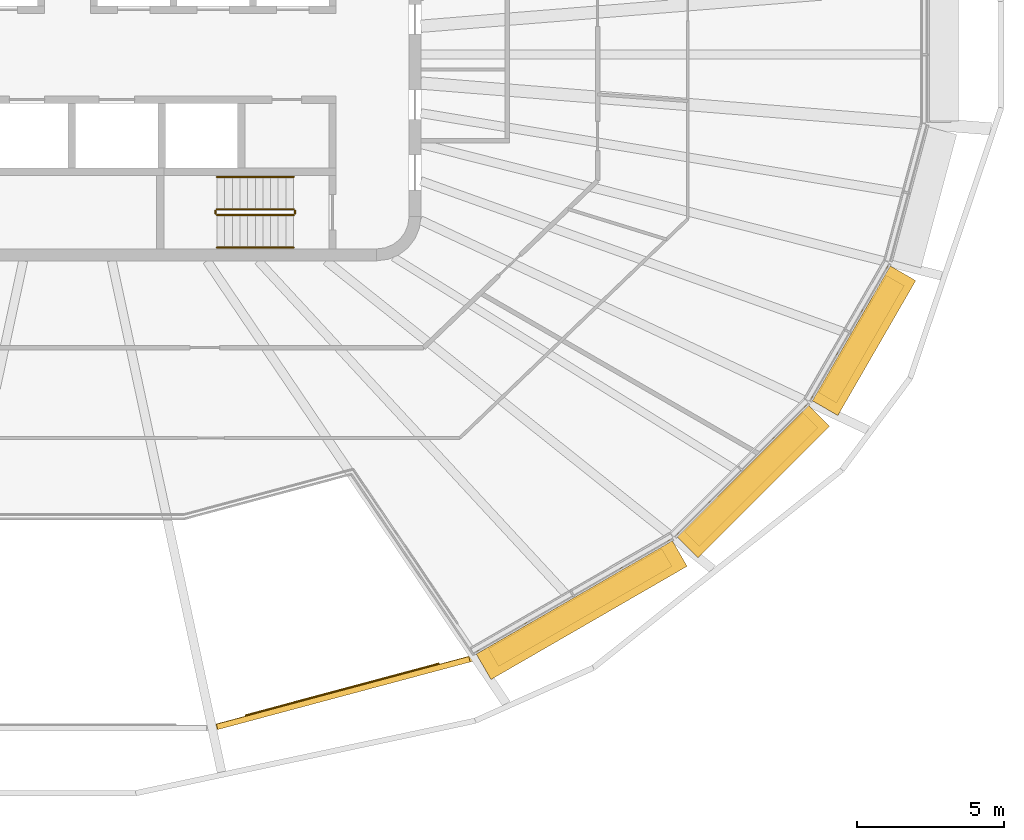
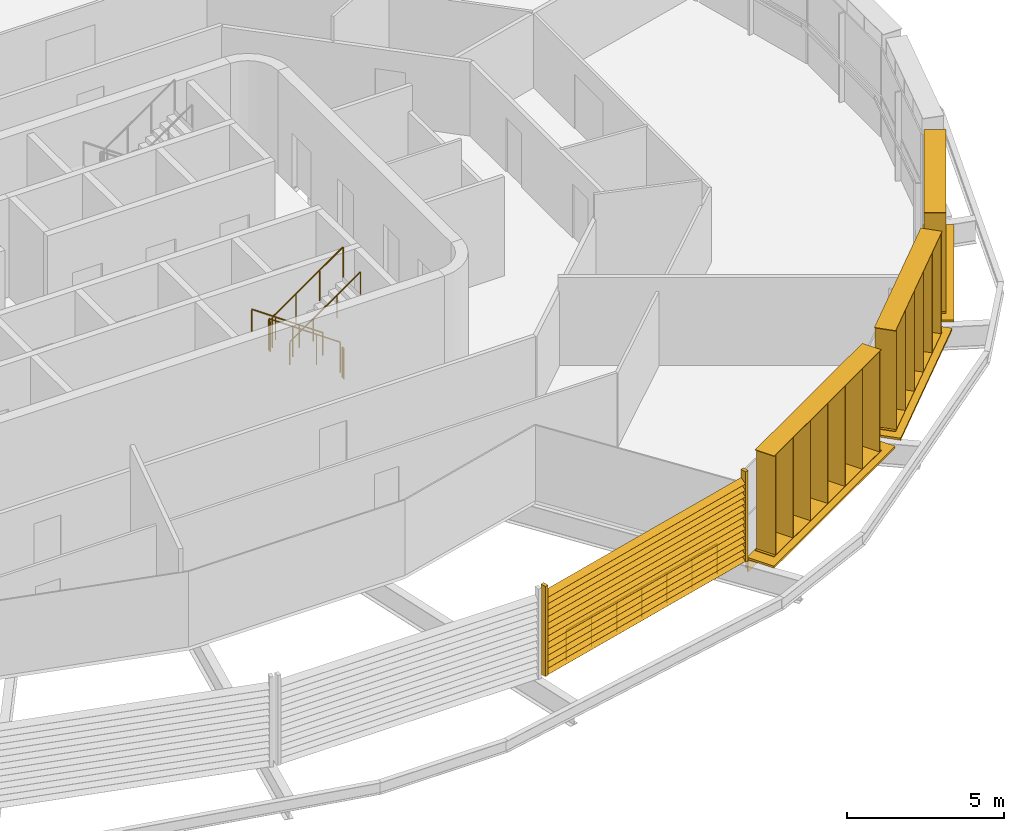
# One storey, part 16 of 19: 7 railings, 7 shading devices.
"""IFC4 building model written with IfcOpenShell, lengths in metres."""

from ifc_helpers import new_model, si_unit, direction, frame, origin, origin_2d, place, context, subcontext, project, spatial, rectangle, circle, extrude, material, type_object, element, save


model = new_model("IFC4")

# Units and contexts
model_context = context("Model", 3, precision=1e-05, world=origin(), true_north=direction((0.0, 1.0)))
body_context = subcontext(model_context, "Body", "Model", "MODEL_VIEW")
ifc_project = project(units=[si_unit("LENGTHUNIT", "METRE"), si_unit("AREAUNIT", "SQUARE_METRE"), si_unit("VOLUMEUNIT", "CUBIC_METRE"), si_unit("PLANEANGLEUNIT", "RADIAN"), si_unit("MASSUNIT", "GRAM", prefix="KILO")], contexts=[model_context])

# Site, building, storey
site_placement = place(None, origin())
site = spatial("IfcSite", under=ifc_project, at=site_placement, CompositionType="ELEMENT")
building_placement = place(site_placement, origin())
building = spatial("IfcBuilding", under=site, at=building_placement, Name="Sahrelin Media Tower", CompositionType="ELEMENT")
storey_placement = place(building_placement, frame((0.0, 0.0, 279.0)))
storey = spatial("IfcBuildingStorey", under=building, at=storey_placement, Name="L61", CompositionType="ELEMENT", Elevation=279.0)

# Shading devices
ifc_material_1 = material(Name="Champagne anodised aluminium 6063-T6", Category="aluminium")
shading_device_type_1 = type_object("IfcShadingDeviceType", Name="Fin cassette", PredefinedType="USERDEFINED", material=ifc_material_1)
placement_1 = place(storey_placement, frame((17.198974609375, -18.41015625, 0.0), z_axis=(0.0, 0.0, 1.0), x_axis=(-0.866019052629, -0.500011000363, 0.0)))
element("IfcShadingDevice", 1, at=placement_1, inside=storey, type_object=shading_device_type_1, Name="L61:FIN:L61-20", ObjectType="FIN", PredefinedType="USERDEFINED", context=body_context, shape_type="SweptSolid", body=[
    extrude(rectangle(XDim=6.800048828125, YDim=0.699951171875, at=origin_2d()), frame((0.0, 0.419921875, 0.0)), (0.0, 0.0, 1.0), 0.02001953125),
    extrude(rectangle(XDim=6.800048828125, YDim=0.699951171875, at=origin_2d()), frame((0.0, 0.419921875, 3.89990234375)), (0.0, 0.0, 1.0), 0.02001953125),
    extrude(rectangle(XDim=0.02001953125, YDim=0.699951171875, at=origin_2d()), frame((-3.300048828125, 0.419921875, 0.010009765625), z_axis=(0.0, 0.0, 1.0), x_axis=(1.0, 0.0, 0.0)), (0.0, 0.0, 1.0), 3.89990234375),
    extrude(rectangle(XDim=0.02001953125, YDim=0.699951171875, at=origin_2d()), frame((-2.199951171875, 0.419921875, 0.010009765625), z_axis=(0.0, 0.0, 1.0), x_axis=(1.0, 0.0, 0.0)), (0.0, 0.0, 1.0), 3.89990234375),
    extrude(rectangle(XDim=0.02001953125, YDim=0.699951171875, at=origin_2d()), frame((-1.10009765625, 0.419921875, 0.010009765625), z_axis=(0.0, 0.0, 1.0), x_axis=(1.0, 0.0, 0.0)), (0.0, 0.0, 1.0), 3.89990234375),
    extrude(rectangle(XDim=0.02001953125, YDim=0.699951171875, at=origin_2d()), frame((0.0, 0.419921875, 0.010009765625), z_axis=(0.0, 0.0, 1.0), x_axis=(1.0, 0.0, 0.0)), (0.0, 0.0, 1.0), 3.89990234375),
    extrude(rectangle(XDim=0.02001953125, YDim=0.699951171875, at=origin_2d()), frame((1.10009765625, 0.419921875, 0.010009765625), z_axis=(0.0, 0.0, 1.0), x_axis=(1.0, 0.0, 0.0)), (0.0, 0.0, 1.0), 3.89990234375),
    extrude(rectangle(XDim=0.02001953125, YDim=0.699951171875, at=origin_2d()), frame((2.199951171875, 0.419921875, 0.010009765625), z_axis=(0.0, 0.0, 1.0), x_axis=(1.0, 0.0, 0.0)), (0.0, 0.0, 1.0), 3.89990234375),
    extrude(rectangle(XDim=0.02001953125, YDim=0.699951171875, at=origin_2d()), frame((3.300048828125, 0.419921875, 0.010009765625), z_axis=(0.0, 0.0, 1.0), x_axis=(1.0, 0.0, 0.0)), (0.0, 0.0, 1.0), 3.89990234375),
])
placement_2 = place(storey_placement, frame((22.919189453125, -14.1337890625, 0.0), z_axis=(0.0, 0.0, 1.0), x_axis=(-0.707106781187, -0.707106781187, 0.0)))
element("IfcShadingDevice", 2, at=placement_2, inside=storey, type_object=shading_device_type_1, Name="L61:FIN:L61-21", ObjectType="FIN", PredefinedType="USERDEFINED", context=body_context, shape_type="SweptSolid", body=[
    extrude(rectangle(XDim=5.699951171875, YDim=0.699951171875, at=origin_2d()), frame((0.0, 0.419921875, 0.0)), (0.0, 0.0, 1.0), 0.02001953125),
    extrude(rectangle(XDim=5.699951171875, YDim=0.699951171875, at=origin_2d()), frame((0.0, 0.419921875, 3.89990234375)), (0.0, 0.0, 1.0), 0.02001953125),
    extrude(rectangle(XDim=0.02001953125, YDim=0.699951171875, at=origin_2d()), frame((-2.75, 0.419921875, 0.010009765625), z_axis=(0.0, 0.0, 1.0), x_axis=(1.0, 0.0, 0.0)), (0.0, 0.0, 1.0), 3.89990234375),
    extrude(rectangle(XDim=0.02001953125, YDim=0.699951171875, at=origin_2d()), frame((-1.64990234375, 0.419921875, 0.010009765625), z_axis=(0.0, 0.0, 1.0), x_axis=(1.0, 0.0, 0.0)), (0.0, 0.0, 1.0), 3.89990234375),
    extrude(rectangle(XDim=0.02001953125, YDim=0.699951171875, at=origin_2d()), frame((-0.550048828125, 0.419921875, 0.010009765625), z_axis=(0.0, 0.0, 1.0), x_axis=(1.0, 0.0, 0.0)), (0.0, 0.0, 1.0), 3.89990234375),
    extrude(rectangle(XDim=0.02001953125, YDim=0.699951171875, at=origin_2d()), frame((0.550048828125, 0.419921875, 0.010009765625), z_axis=(0.0, 0.0, 1.0), x_axis=(1.0, 0.0, 0.0)), (0.0, 0.0, 1.0), 3.89990234375),
    extrude(rectangle(XDim=0.02001953125, YDim=0.699951171875, at=origin_2d()), frame((1.64990234375, 0.419921875, 0.010009765625), z_axis=(0.0, 0.0, 1.0), x_axis=(1.0, 0.0, 0.0)), (0.0, 0.0, 1.0), 3.89990234375),
    extrude(rectangle(XDim=0.02001953125, YDim=0.699951171875, at=origin_2d()), frame((2.75, 0.419921875, 0.010009765625), z_axis=(0.0, 0.0, 1.0), x_axis=(1.0, 0.0, 0.0)), (0.0, 0.0, 1.0), 3.89990234375),
])
placement_3 = place(storey_placement, frame((26.595703125, -9.452392578125, 0.0), z_axis=(0.0, 0.0, 1.0), x_axis=(-0.500011000363, -0.866019052629, 0.0)))
element("IfcShadingDevice", 3, at=placement_3, inside=storey, type_object=shading_device_type_1, Name="L61:FIN:L61-22", ObjectType="FIN", PredefinedType="USERDEFINED", context=body_context, shape_type="SweptSolid", body=[
    extrude(rectangle(XDim=4.60009765625, YDim=0.699951171875, at=origin_2d()), frame((0.0, 0.419921875, 0.0)), (0.0, 0.0, 1.0), 0.02001953125),
    extrude(rectangle(XDim=4.60009765625, YDim=0.699951171875, at=origin_2d()), frame((0.0, 0.419921875, 3.89990234375)), (0.0, 0.0, 1.0), 0.02001953125),
    extrude(rectangle(XDim=0.02001953125, YDim=0.699951171875, at=origin_2d()), frame((-2.199951171875, 0.419921875, 0.010009765625), z_axis=(0.0, 0.0, 1.0), x_axis=(1.0, 0.0, 0.0)), (0.0, 0.0, 1.0), 3.89990234375),
    extrude(rectangle(XDim=0.02001953125, YDim=0.699951171875, at=origin_2d()), frame((-1.10009765625, 0.419921875, 0.010009765625), z_axis=(0.0, 0.0, 1.0), x_axis=(1.0, 0.0, 0.0)), (0.0, 0.0, 1.0), 3.89990234375),
    extrude(rectangle(XDim=0.02001953125, YDim=0.699951171875, at=origin_2d()), frame((0.0, 0.419921875, 0.010009765625), z_axis=(0.0, 0.0, 1.0), x_axis=(1.0, 0.0, 0.0)), (0.0, 0.0, 1.0), 3.89990234375),
    extrude(rectangle(XDim=0.02001953125, YDim=0.699951171875, at=origin_2d()), frame((1.10009765625, 0.419921875, 0.010009765625), z_axis=(0.0, 0.0, 1.0), x_axis=(1.0, 0.0, 0.0)), (0.0, 0.0, 1.0), 3.89990234375),
    extrude(rectangle(XDim=0.02001953125, YDim=0.699951171875, at=origin_2d()), frame((2.199951171875, 0.419921875, 0.010009765625), z_axis=(0.0, 0.0, 1.0), x_axis=(1.0, 0.0, 0.0)), (0.0, 0.0, 1.0), 3.89990234375),
])
shading_device_type_2 = type_object("IfcShadingDeviceType", Name="Garden screen", PredefinedType="USERDEFINED", material=ifc_material_1)
shading_device_4_placement = place(storey_placement, frame((9.335693359375, -21.573974609375, 0.0), z_axis=(0.0, 0.0, 1.0), x_axis=(-0.965928857556, -0.258807731996, 0.0)))
element("IfcShadingDevice", 4, at=shading_device_4_placement, inside=storey, type_object=shading_device_type_2, Name="L61:SCREEN:L61-19", ObjectType="SCREEN", PredefinedType="USERDEFINED", context=body_context, shape_type="SweptSolid", body=[
    extrude(rectangle(XDim=0.1201171875, YDim=0.199951171875, at=origin_2d()), frame((4.493896484375, 0.10009765625, 0.050048828125), z_axis=(0.0, 0.0, 1.0), x_axis=(1.0, 0.0, 0.0)), (0.0, 0.0, 1.0), 3.49853515625),
    extrude(rectangle(XDim=0.1201171875, YDim=0.199951171875, at=origin_2d()), frame((-4.493896484375, 0.10009765625, 0.050048828125), z_axis=(0.0, 0.0, 1.0), x_axis=(1.0, 0.0, 0.0)), (0.0, 0.0, 1.0), 3.49853515625),
    extrude(rectangle(XDim=0.25, YDim=0.02001953125, at=origin_2d()), frame((4.433837890625, 0.10009765625, 0.14990234375), z_axis=(-1.0, 0.0, 0.0), x_axis=(0.0, -0.766044443119, 0.642787609687)), (0.0, 0.0, 1.0), 8.86767578125),
    extrude(rectangle(XDim=0.25, YDim=0.02001953125, at=origin_2d()), frame((4.433837890625, 0.10009765625, 0.39990234375), z_axis=(-1.0, 0.0, 0.0), x_axis=(0.0, -0.766044443119, 0.642787609687)), (0.0, 0.0, 1.0), 8.86767578125),
    extrude(rectangle(XDim=0.25, YDim=0.02001953125, at=origin_2d()), frame((4.433837890625, 0.10009765625, 0.64990234375), z_axis=(-1.0, 0.0, 0.0), x_axis=(0.0, -0.766044443119, 0.642787609687)), (0.0, 0.0, 1.0), 8.86767578125),
    extrude(rectangle(XDim=0.25, YDim=0.02001953125, at=origin_2d()), frame((4.433837890625, 0.10009765625, 0.89990234375), z_axis=(-1.0, 0.0, 0.0), x_axis=(0.0, -0.766044443119, 0.642787609687)), (0.0, 0.0, 1.0), 8.86767578125),
    extrude(rectangle(XDim=0.25, YDim=0.02001953125, at=origin_2d()), frame((4.433837890625, 0.10009765625, 1.14990234375), z_axis=(-1.0, 0.0, 0.0), x_axis=(0.0, -0.766044443119, 0.642787609687)), (0.0, 0.0, 1.0), 8.86767578125),
    extrude(rectangle(XDim=0.25, YDim=0.02001953125, at=origin_2d()), frame((4.433837890625, 0.10009765625, 1.39990234375), z_axis=(-1.0, 0.0, 0.0), x_axis=(0.0, -0.766044443119, 0.642787609687)), (0.0, 0.0, 1.0), 8.86767578125),
    extrude(rectangle(XDim=0.25, YDim=0.02001953125, at=origin_2d()), frame((4.433837890625, 0.10009765625, 1.64990234375), z_axis=(-1.0, 0.0, 0.0), x_axis=(0.0, -0.766044443119, 0.642787609687)), (0.0, 0.0, 1.0), 8.86767578125),
    extrude(rectangle(XDim=0.25, YDim=0.02001953125, at=origin_2d()), frame((4.433837890625, 0.10009765625, 1.89990234375), z_axis=(-1.0, 0.0, 0.0), x_axis=(0.0, -0.766044443119, 0.642787609687)), (0.0, 0.0, 1.0), 8.86767578125),
    extrude(rectangle(XDim=0.25, YDim=0.02001953125, at=origin_2d()), frame((4.433837890625, 0.10009765625, 2.14990234375), z_axis=(-1.0, 0.0, 0.0), x_axis=(0.0, -0.766044443119, 0.642787609687)), (0.0, 0.0, 1.0), 8.86767578125),
    extrude(rectangle(XDim=0.25, YDim=0.02001953125, at=origin_2d()), frame((4.433837890625, 0.10009765625, 2.39990234375), z_axis=(-1.0, 0.0, 0.0), x_axis=(0.0, -0.766044443119, 0.642787609687)), (0.0, 0.0, 1.0), 8.86767578125),
    extrude(rectangle(XDim=0.25, YDim=0.02001953125, at=origin_2d()), frame((4.433837890625, 0.10009765625, 2.64990234375), z_axis=(-1.0, 0.0, 0.0), x_axis=(0.0, -0.766044443119, 0.642787609687)), (0.0, 0.0, 1.0), 8.86767578125),
    extrude(rectangle(XDim=0.25, YDim=0.02001953125, at=origin_2d()), frame((4.433837890625, 0.10009765625, 2.89990234375), z_axis=(-1.0, 0.0, 0.0), x_axis=(0.0, -0.766044443119, 0.642787609687)), (0.0, 0.0, 1.0), 8.86767578125),
    extrude(rectangle(XDim=0.25, YDim=0.02001953125, at=origin_2d()), frame((4.433837890625, 0.10009765625, 3.14990234375), z_axis=(-1.0, 0.0, 0.0), x_axis=(0.0, -0.766044443119, 0.642787609687)), (0.0, 0.0, 1.0), 8.86767578125),
])

# Railings
ifc_material_2 = material(Name="Stainless steel 316", Category="steel")
railing_type_1 = type_object("IfcRailingType", Name="Sky garden guard", PredefinedType="GUARDRAIL", material=ifc_material_2)
railing_1_placement = place(storey_placement, frame((12.602783203125, -20.67529296875, 0.0)))
element("IfcRailing", 5, at=railing_1_placement, inside=storey, type_object=railing_type_1, Name="Sky garden void guard G5-2", PredefinedType="GUARDRAIL", context=body_context, shape_type="SweptSolid", body=[
    extrude(circle(Radius=0.02392578125, at=origin_2d()), frame((0.0, 0.0, 1.17578125), z_axis=(-0.9659221657, -0.258832706221, 0.0), x_axis=(0.258832706221, -0.9659221657, 0.0)), (0.0, 0.0, 1.0), 6.778076171875),
    extrude(circle(Radius=0.02099609375, at=origin_2d()), origin(), (0.0, 0.0, 1.0), 1.15185546875),
    extrude(circle(Radius=0.02099609375, at=origin_2d()), frame((-1.09130859375, -0.29248046875, 0.0)), (0.0, 0.0, 1.0), 1.15185546875),
    extrude(circle(Radius=0.02099609375, at=origin_2d()), frame((-2.182373046875, -0.584716796875, 0.0)), (0.0, 0.0, 1.0), 1.15185546875),
    extrude(circle(Radius=0.02099609375, at=origin_2d()), frame((-3.2734375, -0.877197265625, 0.0)), (0.0, 0.0, 1.0), 1.15185546875),
    extrude(circle(Radius=0.02099609375, at=origin_2d()), frame((-4.36474609375, -1.169677734375, 0.0)), (0.0, 0.0, 1.0), 1.15185546875),
    extrude(circle(Radius=0.02099609375, at=origin_2d()), frame((-5.4560546875, -1.4619140625, 0.0)), (0.0, 0.0, 1.0), 1.15185546875),
    extrude(circle(Radius=0.02099609375, at=origin_2d()), frame((-6.547119140625, -1.75439453125, 0.0)), (0.0, 0.0, 1.0), 1.15185546875),
])
ifc_material_3 = material(Name="Steel S355", Category="steel")
railing_type_2 = type_object("IfcRailingType", Name="Stair guard 1200", PredefinedType="GUARDRAIL", material=ifc_material_3)
railing_2_placement = place(storey_placement, frame((7.675048828125, -5.25, 0.181884765625)))
element("IfcRailing", 6, at=railing_2_placement, inside=storey, type_object=railing_type_2, Name="L61 ST2 stair guard 1", PredefinedType="GUARDRAIL", context=body_context, shape_type="SweptSolid", body=[
    extrude(circle(Radius=0.02392578125, at=origin_2d()), frame((0.0, 0.0, 1.17578125), z_axis=(-0.819521025635, 0.0, 0.573049115296), x_axis=(0.0, -1.0, 0.0)), (0.0, 0.0, 1.0), 3.172607421875),
    extrude(circle(Radius=0.02099609375, at=origin_2d()), origin(), (0.0, 0.0, 1.0), 1.15185546875),
    extrude(circle(Radius=0.02099609375, at=origin_2d()), frame((-0.86669921875, 0.0, 0.60595703125)), (0.0, 0.0, 1.0), 1.15185546875),
    extrude(circle(Radius=0.02099609375, at=origin_2d()), frame((-1.7333984375, 0.0, 1.212158203125)), (0.0, 0.0, 1.0), 1.15185546875),
    extrude(circle(Radius=0.02099609375, at=origin_2d()), frame((-2.60009765625, 0.0, 1.818115234375)), (0.0, 0.0, 1.0), 1.15185546875),
])
railing_3_placement = place(storey_placement, frame((5.02490234375, -5.300048828125, 2.0)))
element("IfcRailing", 7, at=railing_3_placement, inside=storey, type_object=railing_type_2, Name="L61 ST2 stair guard 2", PredefinedType="GUARDRAIL", context=body_context, shape_type="SweptSolid", body=[
    extrude(circle(Radius=0.02392578125, at=origin_2d()), frame((0.0, 0.0, 1.17578125), z_axis=(0.0, -1.0, 0.0), x_axis=(1.0, 0.0, 0.0)), (0.0, 0.0, 1.0), 0.099853515625),
    extrude(circle(Radius=0.02099609375, at=origin_2d()), origin(), (0.0, 0.0, 1.0), 1.15185546875),
    extrude(circle(Radius=0.02099609375, at=origin_2d()), frame((0.0, -0.099853515625, 0.0)), (0.0, 0.0, 1.0), 1.15185546875),
])
railing_4_placement = place(storey_placement, frame((5.074951171875, -5.449951171875, 2.181884765625)))
element("IfcRailing", 8, at=railing_4_placement, inside=storey, type_object=railing_type_2, Name="L61 ST2 stair guard 3", PredefinedType="GUARDRAIL", context=body_context, shape_type="SweptSolid", body=[
    extrude(circle(Radius=0.02392578125, at=origin_2d()), frame((0.0, 0.0, 1.17578125), z_axis=(0.819521025635, 0.0, 0.573049115296), x_axis=(0.0, 1.0, 0.0)), (0.0, 0.0, 1.0), 3.172607421875),
    extrude(circle(Radius=0.02099609375, at=origin_2d()), origin(), (0.0, 0.0, 1.0), 1.15185546875),
    extrude(circle(Radius=0.02099609375, at=origin_2d()), frame((0.86669921875, 0.0, 0.60595703125)), (0.0, 0.0, 1.0), 1.15185546875),
    extrude(circle(Radius=0.02099609375, at=origin_2d()), frame((1.7333984375, 0.0, 1.212158203125)), (0.0, 0.0, 1.0), 1.15185546875),
    extrude(circle(Radius=0.02099609375, at=origin_2d()), frame((2.60009765625, 0.0, 1.818115234375)), (0.0, 0.0, 1.0), 1.15185546875),
])
railing_5_placement = place(storey_placement, frame((7.72509765625, -5.300048828125, 0.0)))
element("IfcRailing", 9, at=railing_5_placement, inside=storey, type_object=railing_type_2, Name="L61 ST2 stair guard 4", PredefinedType="GUARDRAIL", context=body_context, shape_type="SweptSolid", body=[
    extrude(circle(Radius=0.02392578125, at=origin_2d()), frame((0.0, 0.0, 1.17578125), z_axis=(0.0, -1.0, 0.0), x_axis=(1.0, 0.0, 0.0)), (0.0, 0.0, 1.0), 0.099853515625),
    extrude(circle(Radius=0.02099609375, at=origin_2d()), origin(), (0.0, 0.0, 1.0), 1.15185546875),
    extrude(circle(Radius=0.02099609375, at=origin_2d()), frame((0.0, -0.099853515625, 0.0)), (0.0, 0.0, 1.0), 1.15185546875),
])
railing_type_3 = type_object("IfcRailingType", Name="Stair handrail 900", PredefinedType="HANDRAIL", material=ifc_material_3)
railing_6_placement = place(storey_placement, frame((7.675048828125, -4.14990234375, 0.181884765625)))
element("IfcRailing", 10, at=railing_6_placement, inside=storey, type_object=railing_type_3, Name="L61 ST2 stair handrail 1", PredefinedType="HANDRAIL", context=body_context, shape_type="SweptSolid", body=[
    extrude(circle(Radius=0.02392578125, at=origin_2d()), frame((0.0, 0.0, 0.8759765625), z_axis=(-0.819521025635, 0.0, 0.573049115296), x_axis=(0.0, -1.0, 0.0)), (0.0, 0.0, 1.0), 3.172607421875),
    extrude(circle(Radius=0.02099609375, at=origin_2d()), origin(), (0.0, 0.0, 1.0), 0.851806640625),
    extrude(circle(Radius=0.02099609375, at=origin_2d()), frame((-0.86669921875, 0.0, 0.60595703125)), (0.0, 0.0, 1.0), 0.851806640625),
    extrude(circle(Radius=0.02099609375, at=origin_2d()), frame((-1.7333984375, 0.0, 1.212158203125)), (0.0, 0.0, 1.0), 0.851806640625),
    extrude(circle(Radius=0.02099609375, at=origin_2d()), frame((-2.60009765625, 0.0, 1.818115234375)), (0.0, 0.0, 1.0), 0.851806640625),
])
railing_7_placement = place(storey_placement, frame((5.074951171875, -6.550048828125, 2.181884765625)))
element("IfcRailing", 11, at=railing_7_placement, inside=storey, type_object=railing_type_3, Name="L61 ST2 stair handrail 2", PredefinedType="HANDRAIL", context=body_context, shape_type="SweptSolid", body=[
    extrude(circle(Radius=0.02392578125, at=origin_2d()), frame((0.0, 0.0, 0.8759765625), z_axis=(0.819521025635, 0.0, 0.573049115296), x_axis=(0.0, 1.0, 0.0)), (0.0, 0.0, 1.0), 3.172607421875),
    extrude(circle(Radius=0.02099609375, at=origin_2d()), origin(), (0.0, 0.0, 1.0), 0.851806640625),
    extrude(circle(Radius=0.02099609375, at=origin_2d()), frame((0.86669921875, 0.0, 0.60595703125)), (0.0, 0.0, 1.0), 0.851806640625),
    extrude(circle(Radius=0.02099609375, at=origin_2d()), frame((1.7333984375, 0.0, 1.212158203125)), (0.0, 0.0, 1.0), 0.851806640625),
    extrude(circle(Radius=0.02099609375, at=origin_2d()), frame((2.60009765625, 0.0, 1.818115234375)), (0.0, 0.0, 1.0), 0.851806640625),
])

# Shading devices
shading_device_type_3 = type_object("IfcShadingDeviceType", Name="Sunshade band", PredefinedType="USERDEFINED", material=ifc_material_1)
element("IfcShadingDevice", 12, at=placement_1, inside=storey, type_object=shading_device_type_3, Name="L61:SUN:L61-20", ObjectType="SUNSHADE", PredefinedType="USERDEFINED", context=body_context, shape_type="SweptSolid", body=[
    extrude(rectangle(XDim=7.689208984375, YDim=0.050048828125, at=origin_2d()), frame((0.0, 0.044921875, -0.55126953125)), (0.0, 0.0, 1.0), 0.471435546875),
    extrude(rectangle(XDim=7.689208984375, YDim=1.0, at=origin_2d()), frame((0.0, 0.52001953125, -0.080078125)), (0.0, 0.0, 1.0), 0.080078125),
    extrude(rectangle(XDim=0.10009765625, YDim=0.074951171875, at=origin_2d()), frame((-3.74462890625, -0.017578125, -0.47021484375)), (0.0, 0.0, 1.0), 0.300048828125),
    extrude(rectangle(XDim=0.10009765625, YDim=0.074951171875, at=origin_2d()), frame((-1.872314453125, -0.017578125, -0.47021484375)), (0.0, 0.0, 1.0), 0.300048828125),
    extrude(rectangle(XDim=0.10009765625, YDim=0.074951171875, at=origin_2d()), frame((0.0, -0.017578125, -0.47021484375)), (0.0, 0.0, 1.0), 0.300048828125),
    extrude(rectangle(XDim=0.10009765625, YDim=0.074951171875, at=origin_2d()), frame((1.872314453125, -0.017578125, -0.47021484375)), (0.0, 0.0, 1.0), 0.300048828125),
    extrude(rectangle(XDim=0.10009765625, YDim=0.074951171875, at=origin_2d()), frame((3.74462890625, -0.017578125, -0.47021484375)), (0.0, 0.0, 1.0), 0.300048828125),
])
element("IfcShadingDevice", 13, at=placement_2, inside=storey, type_object=shading_device_type_3, Name="L61:SUN:L61-21", ObjectType="SUNSHADE", PredefinedType="USERDEFINED", context=body_context, shape_type="SweptSolid", body=[
    extrude(rectangle(XDim=6.317138671875, YDim=0.050048828125, at=origin_2d()), frame((0.0, 0.044921875, -0.55126953125)), (0.0, 0.0, 1.0), 0.471435546875),
    extrude(rectangle(XDim=6.317138671875, YDim=1.0, at=origin_2d()), frame((0.0, 0.52001953125, -0.080078125)), (0.0, 0.0, 1.0), 0.080078125),
    extrude(rectangle(XDim=0.10009765625, YDim=0.074951171875, at=origin_2d()), frame((-3.05859375, -0.017578125, -0.47021484375)), (0.0, 0.0, 1.0), 0.300048828125),
    extrude(rectangle(XDim=0.10009765625, YDim=0.074951171875, at=origin_2d()), frame((-1.529296875, -0.017578125, -0.47021484375)), (0.0, 0.0, 1.0), 0.300048828125),
    extrude(rectangle(XDim=0.10009765625, YDim=0.074951171875, at=origin_2d()), frame((0.0, -0.017578125, -0.47021484375)), (0.0, 0.0, 1.0), 0.300048828125),
    extrude(rectangle(XDim=0.10009765625, YDim=0.074951171875, at=origin_2d()), frame((1.529296875, -0.017578125, -0.47021484375)), (0.0, 0.0, 1.0), 0.300048828125),
    extrude(rectangle(XDim=0.10009765625, YDim=0.074951171875, at=origin_2d()), frame((3.05859375, -0.017578125, -0.47021484375)), (0.0, 0.0, 1.0), 0.300048828125),
])
element("IfcShadingDevice", 14, at=placement_3, inside=storey, type_object=shading_device_type_3, Name="L61:SUN:L61-22", ObjectType="SUNSHADE", PredefinedType="USERDEFINED", context=body_context, shape_type="SweptSolid", body=[
    extrude(rectangle(XDim=5.289306640625, YDim=0.050048828125, at=origin_2d()), frame((0.0, 0.044921875, -0.55126953125)), (0.0, 0.0, 1.0), 0.471435546875),
    extrude(rectangle(XDim=5.289306640625, YDim=1.0, at=origin_2d()), frame((0.0, 0.52001953125, -0.080078125)), (0.0, 0.0, 1.0), 0.080078125),
    extrude(rectangle(XDim=0.10009765625, YDim=0.074951171875, at=origin_2d()), frame((-2.544677734375, -0.017578125, -0.47021484375)), (0.0, 0.0, 1.0), 0.300048828125),
    extrude(rectangle(XDim=0.10009765625, YDim=0.074951171875, at=origin_2d()), frame((-0.84814453125, -0.017578125, -0.47021484375)), (0.0, 0.0, 1.0), 0.300048828125),
    extrude(rectangle(XDim=0.10009765625, YDim=0.074951171875, at=origin_2d()), frame((0.84814453125, -0.017578125, -0.47021484375)), (0.0, 0.0, 1.0), 0.300048828125),
    extrude(rectangle(XDim=0.10009765625, YDim=0.074951171875, at=origin_2d()), frame((2.544677734375, -0.017578125, -0.47021484375)), (0.0, 0.0, 1.0), 0.300048828125),
])

save(model, "model.ifc")
